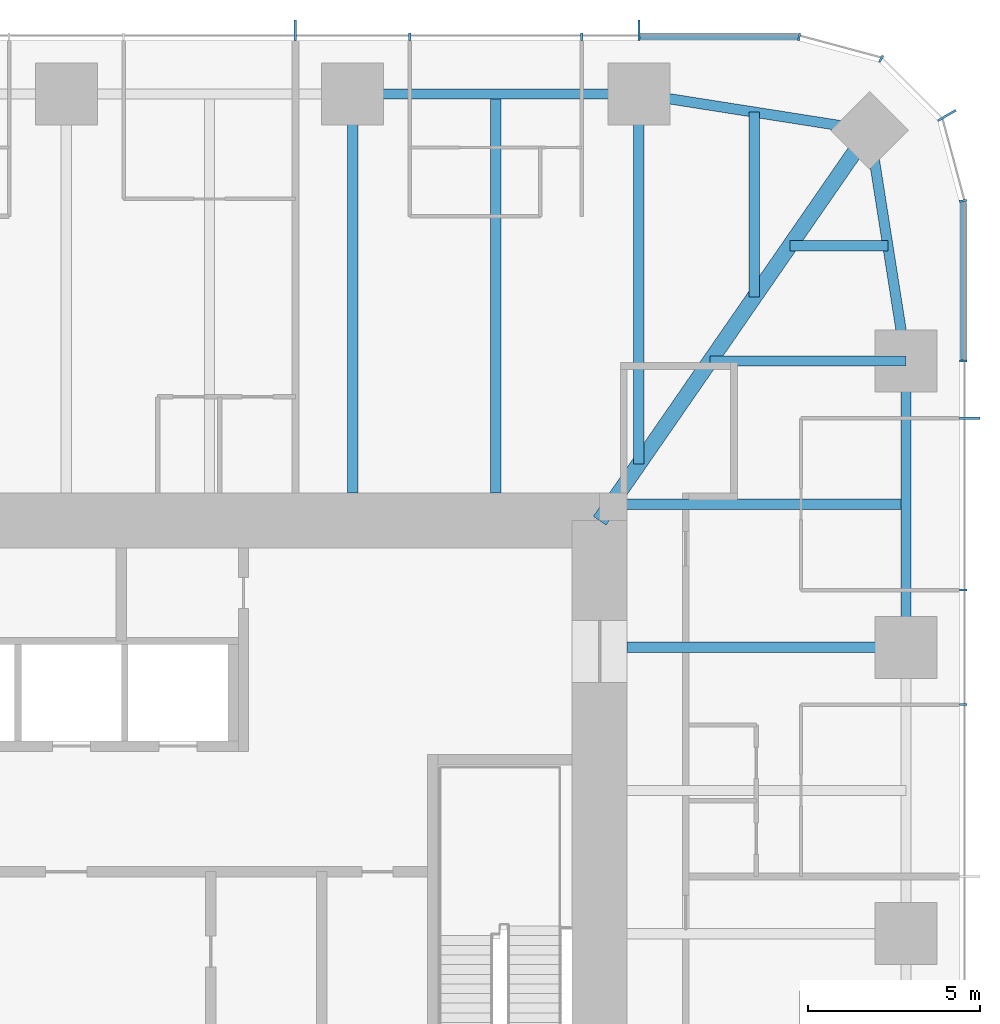
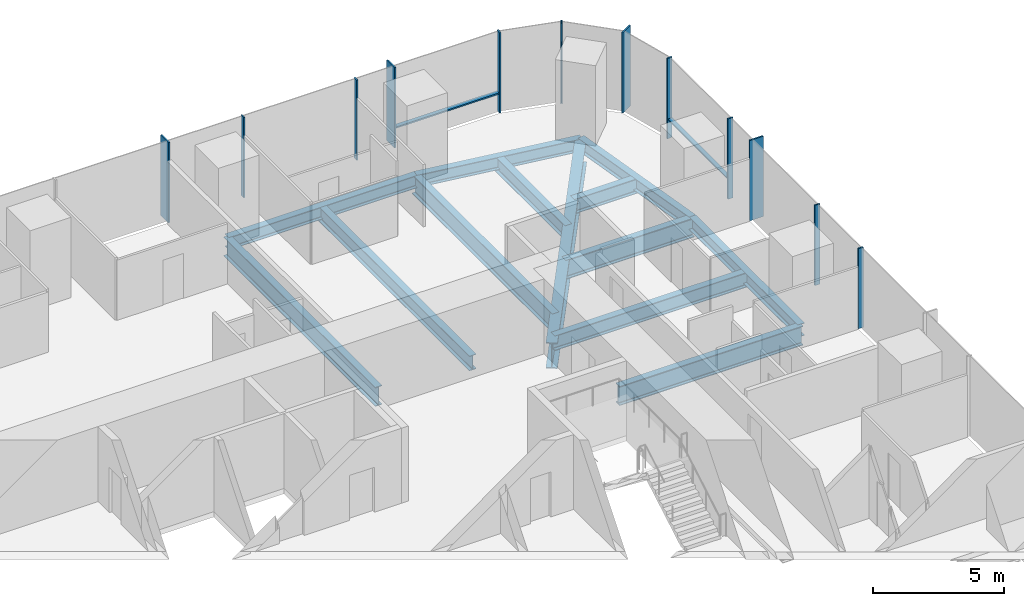
# One storey, part 6 of 12: 14 members, 13 beams, 3 elements without a shape of their own.
"""IFC4 building model written with IfcOpenShell, lengths in metres."""

from ifc_helpers import new_model, si_unit, direction, frame, origin, origin_2d, place, context, subcontext, project, spatial, rectangle, i_section, extrude, material, material_profile, profile_set, type_object, element, aggregate, save


model = new_model("IFC4")

# Units and contexts
model_context = context("Model", 3, precision=1e-05, world=origin(), true_north=direction((0.0, 1.0)))
body_context = subcontext(model_context, "Body", "Model", "MODEL_VIEW")
ifc_project = project(units=[si_unit("LENGTHUNIT", "METRE"), si_unit("AREAUNIT", "SQUARE_METRE"), si_unit("VOLUMEUNIT", "CUBIC_METRE"), si_unit("PLANEANGLEUNIT", "RADIAN"), si_unit("MASSUNIT", "GRAM", prefix="KILO")], contexts=[model_context])

# Site, building, storey
site_placement = place(None, origin())
site = spatial("IfcSite", under=ifc_project, at=site_placement, CompositionType="ELEMENT")
building_placement = place(site_placement, origin())
building = spatial("IfcBuilding", under=site, at=building_placement, Name="Khuree Lantern Residences", CompositionType="ELEMENT")
storey_placement = place(building_placement, frame((0.0, 0.0, 240.75)))
storey = spatial("IfcBuildingStorey", under=building, at=storey_placement, Name="L60", CompositionType="ELEMENT", Elevation=240.75)

# Beams
ifc_material_1 = material(Name="Steel S355", Category="steel")
ifc_material_profile_1 = material_profile(ifc_material_1, i_section(OverallWidth=0.300048828125, OverallDepth=0.68994140625, WebThickness=0.014404296875, FlangeThickness=0.027099609375, FilletRadius=0.027099609375, at=origin_2d()), Name="HE 700 A")
ifc_profile_set_1 = profile_set([ifc_material_profile_1], Name="Steel S355")
beam_type_1 = type_object("IfcBeamType", Name="B-33 SECONDARY BEAM HE 700 A", PredefinedType="BEAM", material=ifc_profile_set_1)
beam_1_placement = place(storey_placement, frame((12.47998046875, 24.39990234375, -0.594970703125), z_axis=(0.0, -1.0, 0.0), x_axis=(1.0, 0.0, 0.0)))
element("IfcBeam", 1, at=beam_1_placement, inside=storey, type_object=beam_type_1, Name="Secondary beam N4", PredefinedType="BEAM", context=body_context, shape_type="SweptSolid", body=[
    extrude(i_section(OverallWidth=0.300048828125, OverallDepth=0.68994140625, WebThickness=0.014404296875, FlangeThickness=0.027099609375, FilletRadius=0.027099609375, at=origin_2d()), origin(), (0.0, 0.0, 1.0), 11.599853515625),
])
beam_2_placement = place(storey_placement, frame((19.992919921875, 23.872802734375, -0.594970703125), z_axis=(0.0, -1.0, 0.0), x_axis=(1.0, 0.0, 0.0)))
element("IfcBeam", 2, at=beam_2_placement, inside=storey, type_object=beam_type_1, Name="Secondary beam N5", PredefinedType="BEAM", context=body_context, shape_type="SweptSolid", body=[
    extrude(i_section(OverallWidth=0.300048828125, OverallDepth=0.68994140625, WebThickness=0.014404296875, FlangeThickness=0.027099609375, FilletRadius=0.027099609375, at=origin_2d()), origin(), (0.0, 0.0, 1.0), 5.375732421875),
])
beam_3_placement = place(storey_placement, frame((23.872802734375, 19.992919921875, -0.594970703125), z_axis=(-1.0, 0.0, 0.0), x_axis=(0.0, -1.0, 0.0)))
element("IfcBeam", 3, at=beam_3_placement, inside=storey, type_object=beam_type_1, Name="Secondary beam E1", PredefinedType="BEAM", context=body_context, shape_type="SweptSolid", body=[
    extrude(i_section(OverallWidth=0.300048828125, OverallDepth=0.68994140625, WebThickness=0.014404296875, FlangeThickness=0.027099609375, FilletRadius=0.027099609375, at=origin_2d()), origin(), (0.0, 0.0, 1.0), 2.845703125),
])
beam_4_placement = place(storey_placement, frame((24.39990234375, 12.47998046875, -0.594970703125), z_axis=(-1.0, 0.0, 0.0), x_axis=(0.0, -1.0, 0.0)))
element("IfcBeam", 4, at=beam_4_placement, inside=storey, type_object=beam_type_1, Name="Secondary beam E2", PredefinedType="BEAM", context=body_context, shape_type="SweptSolid", body=[
    extrude(i_section(OverallWidth=0.300048828125, OverallDepth=0.68994140625, WebThickness=0.014404296875, FlangeThickness=0.027099609375, FilletRadius=0.027099609375, at=origin_2d()), origin(), (0.0, 0.0, 1.0), 8.56787109375),
])
ifc_material_profile_2 = material_profile(ifc_material_1, i_section(OverallWidth=0.300048828125, OverallDepth=0.590087890625, WebThickness=0.012939453125, FlangeThickness=0.02490234375, FilletRadius=0.027099609375, at=origin_2d()), Name="HE 600 A")
ifc_profile_set_2 = profile_set([ifc_material_profile_2], Name="Steel S355")
beam_type_2 = type_object("IfcBeamType", Name="E-33 SPANDREL BEAM HE 600 A", PredefinedType="SPANDREL", material=ifc_profile_set_2)
beam_5_placement = place(storey_placement, frame((8.320068359375, 24.39990234375, -0.544921875), z_axis=(1.0, 0.0, 0.0), x_axis=(0.0, 1.0, 0.0)))
element("IfcBeam", 5, at=beam_5_placement, inside=storey, type_object=beam_type_2, Name="Spandrel beam N4", PredefinedType="SPANDREL", context=body_context, shape_type="SweptSolid", body=[
    extrude(i_section(OverallWidth=0.300048828125, OverallDepth=0.590087890625, WebThickness=0.012939453125, FlangeThickness=0.02490234375, FilletRadius=0.027099609375, at=origin_2d()), origin(), (0.0, 0.0, 1.0), 8.31982421875),
])
for number, where, z_axis, x_axis, name in (
    (6, (16.639892578125, 24.39990234375, -0.544921875), (0.98786743189, -0.155299507442, 0.0), (0.155299507442, 0.98786743189, 0.0), "Spandrel beam N5"),
    (7, (23.345703125, 23.345703125, -0.544921875), (0.155299507442, -0.98786743189, 0.0), (0.98786743189, 0.155299507442, 0.0), "Spandrel beam E1"),
):
    element("IfcBeam", number, at=place(storey_placement, frame(where, z_axis=z_axis, x_axis=x_axis)), inside=storey, type_object=beam_type_2, Name=name, PredefinedType="SPANDREL", context=body_context, shape_type="SweptSolid", body=[
        extrude(i_section(OverallWidth=0.300048828125, OverallDepth=0.590087890625, WebThickness=0.012939453125, FlangeThickness=0.02490234375, FilletRadius=0.027099609375, at=origin_2d()), origin(), (0.0, 0.0, 1.0), 6.7880859375),
    ])
beam_6_placement = place(storey_placement, frame((24.39990234375, 16.639892578125, -0.544921875), z_axis=(0.0, -1.0, 0.0), x_axis=(1.0, 0.0, 0.0)))
element("IfcBeam", 8, at=beam_6_placement, inside=storey, type_object=beam_type_2, Name="Spandrel beam E2", PredefinedType="SPANDREL", context=body_context, shape_type="SweptSolid", body=[
    extrude(i_section(OverallWidth=0.300048828125, OverallDepth=0.590087890625, WebThickness=0.012939453125, FlangeThickness=0.02490234375, FilletRadius=0.027099609375, at=origin_2d()), origin(), (0.0, 0.0, 1.0), 8.31982421875),
])

# Curtain wall, member
ifc_material_2 = material(Name="Bronze anodised aluminium", Category="aluminium")
curtain_wall_type_1 = type_object("IfcCurtainWallType", Name="CW-T1 TOWER FACE CURTAIN WALL", PredefinedType="USERDEFINED", material=ifc_material_2)
curtain_wall_1_placement = place(storey_placement, origin())
curtain_wall_1 = element("IfcCurtainWall", 9, at=curtain_wall_1_placement, inside=storey, type_object=curtain_wall_type_1, Name="L60 EAST FACE CURTAIN WALL", ObjectType="Stick-built curtain wall", PredefinedType="USERDEFINED")
ifc_material_profile_3 = material_profile(ifc_material_2, rectangle(XDim=0.06494140625, YDim=0.60009765625, at=origin_2d()), Name="F1 65X600")
ifc_profile_set_3 = profile_set([ifc_material_profile_3], Name="Bronze anodised aluminium")
member_type_1 = type_object("IfcMemberType", Name="F1 BRONZE FIN MULLION TOWER 65X600", PredefinedType="MULLION", material=ifc_profile_set_3)
member_1_placement = place(storey_placement, frame((26.25, 14.97607421875, 0.0), z_axis=(0.0, 0.0, 1.0), x_axis=(0.0, 1.0, 0.0)))
member_1 = element("IfcMember", 10, at=member_1_placement, type_object=member_type_1, Name="L60 EAST FACE FIN MULLION 13", PredefinedType="MULLION", context=body_context, shape_type="SweptSolid", body=[
    extrude(rectangle(XDim=0.06494140625, YDim=0.60009765625, at=origin_2d()), origin(), (0.0, 0.0, 1.0), 3.75),
])

curtain_wall_type_2 = type_object("IfcCurtainWallType", Name="CW-T2 TOWER CORNER CURTAIN WALL", PredefinedType="USERDEFINED", material=ifc_material_2)
curtain_wall_2_placement = place(storey_placement, origin())
curtain_wall_2 = element("IfcCurtainWall", 11, at=curtain_wall_2_placement, inside=storey, type_object=curtain_wall_type_2, Name="L60 NORTH-EAST CORNER CURTAIN WALL", ObjectType="Faceted corner curtain wall", PredefinedType="USERDEFINED")
member_2_placement = place(storey_placement, frame((25.5869140625, 23.77490234375, 0.0), z_axis=(0.0, 0.0, 1.0), x_axis=(-0.499999989586, 0.866025409797, 0.0)))
member_2 = element("IfcMember", 12, at=member_2_placement, type_object=member_type_1, Name="L60 NORTH-EAST CORNER FIN MULLION 16", PredefinedType="MULLION", context=body_context, shape_type="SweptSolid", body=[
    extrude(rectangle(XDim=0.06494140625, YDim=0.60009765625, at=origin_2d()), origin(), (0.0, 0.0, 1.0), 3.75),
])

# Curtain wall, members
curtain_wall_3_placement = place(storey_placement, origin())
curtain_wall_3 = element("IfcCurtainWall", 13, at=curtain_wall_3_placement, inside=storey, type_object=curtain_wall_type_1, Name="L60 NORTH FACE CURTAIN WALL", ObjectType="Stick-built curtain wall", PredefinedType="USERDEFINED")
member_3_placement = place(storey_placement, frame((16.639892578125, 26.25, 0.0), z_axis=(0.0, 0.0, 1.0), x_axis=(-1.0, 0.0, 0.0)))
member_3 = element("IfcMember", 14, at=member_3_placement, type_object=member_type_1, Name="L60 NORTH FACE FIN MULLION 19", PredefinedType="MULLION", context=body_context, shape_type="SweptSolid", body=[
    extrude(rectangle(XDim=0.06494140625, YDim=0.60009765625, at=origin_2d()), origin(), (0.0, 0.0, 1.0), 3.75),
])
member_4_placement = place(storey_placement, frame((6.656005859375, 26.25, 0.0), z_axis=(0.0, 0.0, 1.0), x_axis=(-1.0, 0.0, 0.0)))
member_4 = element("IfcMember", 15, at=member_4_placement, type_object=member_type_1, Name="L60 NORTH FACE FIN MULLION 22", PredefinedType="MULLION", context=body_context, shape_type="SweptSolid", body=[
    extrude(rectangle(XDim=0.06494140625, YDim=0.60009765625, at=origin_2d()), origin(), (0.0, 0.0, 1.0), 3.75),
])

# Beams
ifc_material_profile_4 = material_profile(ifc_material_1, i_section(OverallWidth=0.300048828125, OverallDepth=0.89990234375, WebThickness=0.0185546875, FlangeThickness=0.034912109375, FilletRadius=0.030029296875, at=origin_2d()), Name="HE 900 B")
ifc_profile_set_4 = profile_set([ifc_material_profile_4], Name="Steel S355")
beam_type_3 = type_object("IfcBeamType", Name="G-33 GIRDER HE 900 B", PredefinedType="BEAM", material=ifc_profile_set_4)
beam_7_placement = place(storey_placement, frame((8.320068359375, 24.39990234375, -0.699951171875), z_axis=(0.0, -1.0, 0.0), x_axis=(1.0, 0.0, 0.0)))
element("IfcBeam", 16, at=beam_7_placement, inside=storey, type_object=beam_type_3, Name="Girder N4", PredefinedType="BEAM", context=body_context, shape_type="SweptSolid", body=[
    extrude(i_section(OverallWidth=0.300048828125, OverallDepth=0.89990234375, WebThickness=0.0185546875, FlangeThickness=0.034912109375, FilletRadius=0.030029296875, at=origin_2d()), origin(), (0.0, 0.0, 1.0), 11.599853515625),
])
beam_8_placement = place(storey_placement, frame((16.639892578125, 24.39990234375, -0.699951171875), z_axis=(0.0, -1.0, 0.0), x_axis=(1.0, 0.0, 0.0)))
element("IfcBeam", 17, at=beam_8_placement, inside=storey, type_object=beam_type_3, Name="Girder N5", PredefinedType="BEAM", context=body_context, shape_type="SweptSolid", body=[
    extrude(i_section(OverallWidth=0.300048828125, OverallDepth=0.89990234375, WebThickness=0.0185546875, FlangeThickness=0.034912109375, FilletRadius=0.030029296875, at=origin_2d()), origin(), (0.0, 0.0, 1.0), 10.751220703125),
])
beam_9_placement = place(storey_placement, frame((24.39990234375, 16.639892578125, -0.699951171875), z_axis=(-1.0, 0.0, 0.0), x_axis=(0.0, -1.0, 0.0)))
element("IfcBeam", 18, at=beam_9_placement, inside=storey, type_object=beam_type_3, Name="Girder E1", PredefinedType="BEAM", context=body_context, shape_type="SweptSolid", body=[
    extrude(i_section(OverallWidth=0.300048828125, OverallDepth=0.89990234375, WebThickness=0.0185546875, FlangeThickness=0.034912109375, FilletRadius=0.030029296875, at=origin_2d()), origin(), (0.0, 0.0, 1.0), 5.69140625),
])
beam_10_placement = place(storey_placement, frame((24.39990234375, 8.320068359375, -0.699951171875), z_axis=(-1.0, 0.0, 0.0), x_axis=(0.0, -1.0, 0.0)))
element("IfcBeam", 19, at=beam_10_placement, inside=storey, type_object=beam_type_3, Name="Girder E2", PredefinedType="BEAM", context=body_context, shape_type="SweptSolid", body=[
    extrude(i_section(OverallWidth=0.300048828125, OverallDepth=0.89990234375, WebThickness=0.0185546875, FlangeThickness=0.034912109375, FilletRadius=0.030029296875, at=origin_2d()), origin(), (0.0, 0.0, 1.0), 8.099853515625),
])
ifc_material_profile_5 = material_profile(ifc_material_1, i_section(OverallWidth=0.449951171875, OverallDepth=1.199951171875, WebThickness=0.02490234375, FlangeThickness=0.044921875, at=origin_2d()), Name="WELDED I 1200X450X25X45")
ifc_profile_set_5 = profile_set([ifc_material_profile_5], Name="Steel S355")
beam_type_4 = type_object("IfcBeamType", Name="GD-33 CORNER GIRDER WELDED I 1200X450X25X45", PredefinedType="BEAM", material=ifc_profile_set_5)
beam_11_placement = place(storey_placement, frame((23.345703125, 23.345703125, -0.85009765625), z_axis=(-0.56876813501, -0.822497907959, 0.0), x_axis=(0.822497907959, -0.56876813501, 0.0)))
element("IfcBeam", 20, at=beam_11_placement, inside=storey, type_object=beam_type_4, Name="Corner girder NE", PredefinedType="BEAM", context=body_context, shape_type="SweptSolid", body=[
    extrude(i_section(OverallWidth=0.449951171875, OverallDepth=1.199951171875, WebThickness=0.02490234375, FlangeThickness=0.044921875, at=origin_2d()), origin(), (0.0, 0.0, 1.0), 13.794189453125),
])

# Member
ifc_material_profile_6 = material_profile(ifc_material_2, rectangle(XDim=0.06494140625, YDim=0.219970703125, at=origin_2d()), Name="M1 65X220")
ifc_profile_set_6 = profile_set([ifc_material_profile_6], Name="Bronze anodised aluminium")
member_type_2 = type_object("IfcMemberType", Name="M1 BRONZE MULLION TOWER 65X220", PredefinedType="MULLION", material=ifc_profile_set_6)
member_5_placement = place(storey_placement, frame((26.06005859375, 6.656005859375, 0.0), z_axis=(0.0, 0.0, 1.0), x_axis=(0.0, 1.0, 0.0)))
member_5 = element("IfcMember", 21, at=member_5_placement, type_object=member_type_2, Name="L60 EAST FACE MULLION 11", PredefinedType="MULLION", context=body_context, shape_type="SweptSolid", body=[
    extrude(rectangle(XDim=0.06494140625, YDim=0.219970703125, at=origin_2d()), origin(), (0.0, 0.0, 1.0), 3.75),
])

member_6_placement = place(storey_placement, frame((26.06005859375, 9.98388671875, 0.0), z_axis=(0.0, 0.0, 1.0), x_axis=(0.0, 1.0, 0.0)))
member_6 = element("IfcMember", 22, at=member_6_placement, type_object=member_type_2, Name="L60 EAST FACE MULLION 12", PredefinedType="MULLION", context=body_context, shape_type="SweptSolid", body=[
    extrude(rectangle(XDim=0.06494140625, YDim=0.219970703125, at=origin_2d()), origin(), (0.0, 0.0, 1.0), 3.75),
])

member_7_placement = place(storey_placement, frame((26.06005859375, 16.639892578125, 0.0), z_axis=(0.0, 0.0, 1.0), x_axis=(0.0, 1.0, 0.0)))
member_7 = element("IfcMember", 23, at=member_7_placement, type_object=member_type_2, Name="L60 EAST FACE MULLION 14", PredefinedType="MULLION", context=body_context, shape_type="SweptSolid", body=[
    extrude(rectangle(XDim=0.06494140625, YDim=0.219970703125, at=origin_2d()), origin(), (0.0, 0.0, 1.0), 3.75),
])

member_8_placement = place(storey_placement, frame((26.061767578125, 21.294921875, 0.0), z_axis=(0.0, 0.0, 1.0), x_axis=(-0.130526180298, 0.991444862943, 0.0)))
member_8 = element("IfcMember", 24, at=member_8_placement, type_object=member_type_2, Name="L60 NORTH-EAST CORNER MULLION 15", PredefinedType="MULLION", context=body_context, shape_type="SweptSolid", body=[
    extrude(rectangle(XDim=0.06494140625, YDim=0.219970703125, at=origin_2d()), origin(), (0.0, 0.0, 1.0), 3.75),
])

member_9_placement = place(storey_placement, frame((23.679931640625, 25.42236328125, 0.0), z_axis=(0.0, 0.0, 1.0), x_axis=(-0.866025409797, 0.499999989586, 0.0)))
member_9 = element("IfcMember", 25, at=member_9_placement, type_object=member_type_2, Name="L60 NORTH-EAST CORNER MULLION 17", PredefinedType="MULLION", context=body_context, shape_type="SweptSolid", body=[
    extrude(rectangle(XDim=0.06494140625, YDim=0.219970703125, at=origin_2d()), origin(), (0.0, 0.0, 1.0), 3.75),
])

aggregate(curtain_wall_2, [member_8, member_2, member_9])

member_10_placement = place(storey_placement, frame((21.294921875, 26.061767578125, 0.0), z_axis=(0.0, 0.0, 1.0), x_axis=(-0.991444862943, 0.130526180298, 0.0)))
member_10 = element("IfcMember", 26, at=member_10_placement, type_object=member_type_2, Name="L60 NORTH FACE MULLION 18", PredefinedType="MULLION", context=body_context, shape_type="SweptSolid", body=[
    extrude(rectangle(XDim=0.06494140625, YDim=0.219970703125, at=origin_2d()), origin(), (0.0, 0.0, 1.0), 3.75),
])

member_11_placement = place(storey_placement, frame((14.97607421875, 26.06005859375, 0.0), z_axis=(0.0, 0.0, 1.0), x_axis=(-1.0, 0.0, 0.0)))
member_11 = element("IfcMember", 27, at=member_11_placement, type_object=member_type_2, Name="L60 NORTH FACE MULLION 20", PredefinedType="MULLION", context=body_context, shape_type="SweptSolid", body=[
    extrude(rectangle(XDim=0.06494140625, YDim=0.219970703125, at=origin_2d()), origin(), (0.0, 0.0, 1.0), 3.75),
])

member_12_placement = place(storey_placement, frame((9.98388671875, 26.06005859375, 0.0), z_axis=(0.0, 0.0, 1.0), x_axis=(-1.0, 0.0, 0.0)))
member_12 = element("IfcMember", 28, at=member_12_placement, type_object=member_type_2, Name="L60 NORTH FACE MULLION 21", PredefinedType="MULLION", context=body_context, shape_type="SweptSolid", body=[
    extrude(rectangle(XDim=0.06494140625, YDim=0.219970703125, at=origin_2d()), origin(), (0.0, 0.0, 1.0), 3.75),
])

ifc_material_profile_7 = material_profile(ifc_material_2, rectangle(XDim=0.179931640625, YDim=0.06494140625, at=origin_2d()), Name="T1 180X65")
ifc_profile_set_7 = profile_set([ifc_material_profile_7], Name="Bronze anodised aluminium")
member_type_3 = type_object("IfcMemberType", Name="TRANSOM T1 TOWER 180X65", PredefinedType="USERDEFINED", material=ifc_profile_set_7)
member_13_placement = place(storey_placement, frame((26.070068359375, 16.672607421875, 0.89990234375), z_axis=(0.0, 1.0, 0.0), x_axis=(-1.0, 0.0, 0.0)))
member_13 = element("IfcMember", 29, at=member_13_placement, type_object=member_type_3, Name="L60 EAST FACE TRANSOM 14.1", ObjectType="Transom", PredefinedType="USERDEFINED", context=body_context, shape_type="SweptSolid", body=[
    extrude(rectangle(XDim=0.179931640625, YDim=0.06494140625, at=origin_2d()), origin(), (0.0, 0.0, 1.0), 4.578857421875),
])

aggregate(curtain_wall_1, [member_5, member_6, member_1, member_7, member_13])

member_14_placement = place(storey_placement, frame((21.25146484375, 26.070068359375, 0.89990234375), z_axis=(-1.0, 0.0, 0.0), x_axis=(0.0, -1.0, 0.0)))
member_14 = element("IfcMember", 30, at=member_14_placement, type_object=member_type_3, Name="L60 NORTH FACE TRANSOM 18.1", ObjectType="Transom", PredefinedType="USERDEFINED", context=body_context, shape_type="SweptSolid", body=[
    extrude(rectangle(XDim=0.179931640625, YDim=0.06494140625, at=origin_2d()), origin(), (0.0, 0.0, 1.0), 4.578857421875),
])

aggregate(curtain_wall_3, [member_10, member_3, member_11, member_12, member_4, member_14])

save(model, "model.ifc")
